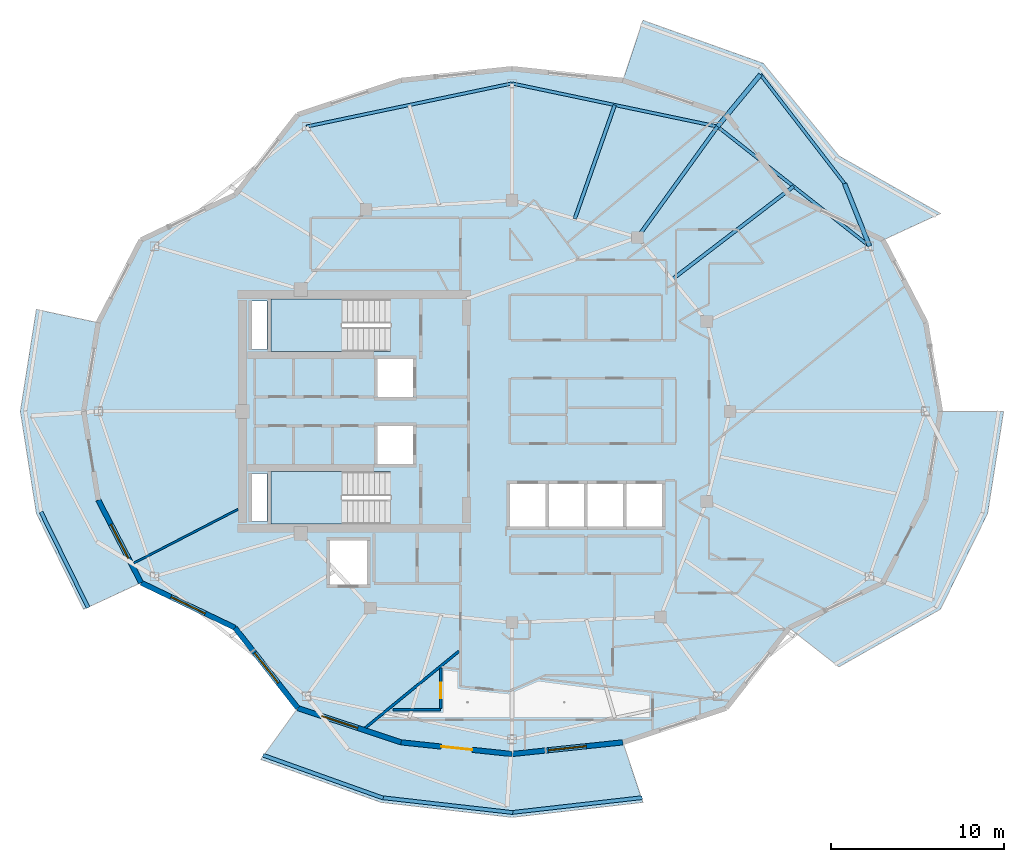
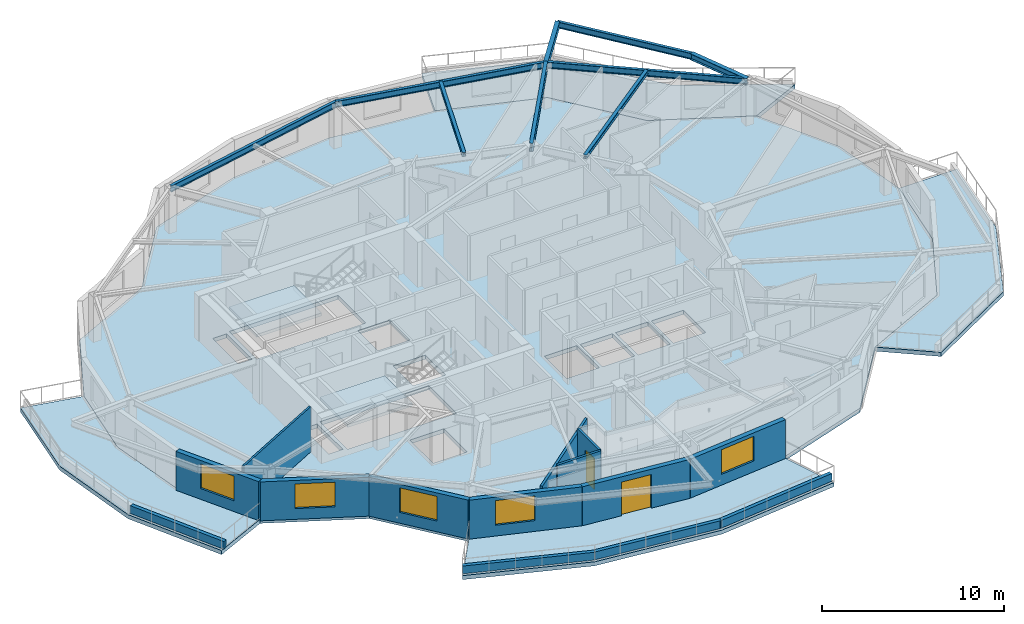
# One storey, part 2 of 14: 14 walls, 9 beams, 7 slabs, 5 windows, 2 doors, 7 openings, 2 elements without a shape of their own.
"""IFC4 building model written with IfcOpenShell, lengths in metres."""

from ifc_helpers import new_model, si_unit, direction, frame, frame_2d, origin, origin_2d, place, context, subcontext, project, spatial, polyline, rectangle, i_section, outline, extrude, material, layer, layer_set, material_profile, profile_set, type_object, element, fill, aggregate, save


model = new_model("IFC4")

# Units and contexts
model_context = context("Model", 3, precision=1e-05, world=origin(), true_north=direction((0.0, 1.0)))
body_context = subcontext(model_context, "Body", "Model", "MODEL_VIEW")
ifc_project = project(units=[si_unit("LENGTHUNIT", "METRE"), si_unit("AREAUNIT", "SQUARE_METRE"), si_unit("VOLUMEUNIT", "CUBIC_METRE"), si_unit("PLANEANGLEUNIT", "RADIAN"), si_unit("MASSUNIT", "GRAM", prefix="KILO")], contexts=[model_context])

# Site, building, storey
site_placement = place(None, origin())
site = spatial("IfcSite", under=ifc_project, at=site_placement, CompositionType="ELEMENT")
building_placement = place(site_placement, origin())
building = spatial("IfcBuilding", under=site, at=building_placement, Name="Kolvaren Gate Tower and Convention Centre", CompositionType="ELEMENT")
storey_placement = place(building_placement, frame((0.0, 0.0, 216.199951171875)))
storey = spatial("IfcBuildingStorey", under=building, at=storey_placement, Name="L57", CompositionType="ELEMENT", Elevation=216.199951171875)

# Beams
ifc_material_1 = material(Name="Structural steel ASTM A992 Grade 345 MPa", Category="steel")
ifc_material_profile_1 = material_profile(ifc_material_1, i_section(OverallWidth=0.260009765625, OverallDepth=0.419921875, WebThickness=0.013427734375, FlangeThickness=0.0224609375, at=origin_2d()), Name="W410X132")
ifc_profile_set_1 = profile_set([ifc_material_profile_1], Name="Structural steel ASTM A992 Grade 345 MPa")
beam_type_1 = type_object("IfcBeamType", Name="STR-BM-W410X132", PredefinedType="BEAM", material=ifc_profile_set_1)
for number, where, z_axis, x_axis, name in (
    (1, (50.787353515625, 36.543701171875, 2.820556640625), (-0.370926499602, 0.92866222702, 0.0), (-0.92866222702, -0.370926499602, 0.0), "Tower L58 Planted Balcony Outrigger Cantilever BC-1A"),
    (2, (42.002685546875, 43.4580078125, 2.820556640625), (0.636086782115, 0.771617525474, 0.0), (-0.771617525474, 0.636086782115, 0.0), "Tower L58 Planted Balcony Outrigger Cantilever BC-1B"),
):
    element("IfcBeam", number, at=place(storey_placement, frame(where, z_axis=z_axis, x_axis=x_axis)), inside=storey, type_object=beam_type_1, Name=name, PredefinedType="BEAM", context=body_context, shape_type="SweptSolid", body=[
        extrude(i_section(OverallWidth=0.260009765625, OverallDepth=0.419921875, WebThickness=0.013427734375, FlangeThickness=0.0224609375, at=origin_2d()), origin(), (0.0, 0.0, 1.0), 3.89990234375),
    ])
ifc_material_profile_2 = material_profile(ifc_material_1, i_section(OverallWidth=0.2119140625, OverallDepth=0.5439453125, WebThickness=0.01318359375, FlangeThickness=0.021240234375, at=origin_2d()), Name="W530X123")
ifc_profile_set_2 = profile_set([ifc_material_profile_2], Name="Structural steel ASTM A992 Grade 345 MPa")
beam_type_2 = type_object("IfcBeamType", Name="STR-BM-W530X123", PredefinedType="BEAM", material=ifc_profile_set_2)
beam_1_placement = place(storey_placement, frame((37.381591796875, 37.054931640625, 2.758056640625), z_axis=(0.585211694794, 0.810880553643, 0.0), x_axis=(-0.810880553643, 0.585211694794, 0.0)))
element("IfcBeam", 3, at=beam_1_placement, inside=storey, type_object=beam_type_2, Name="Tower L57 Radial Floor Girder RB-03", PredefinedType="BEAM", context=body_context, shape_type="SweptSolid", body=[
    extrude(i_section(OverallWidth=0.2119140625, OverallDepth=0.5439453125, WebThickness=0.01318359375, FlangeThickness=0.021240234375, at=origin_2d()), origin(), (0.0, 0.0, 1.0), 7.896484375),
])
ifc_material_profile_3 = material_profile(ifc_material_1, i_section(OverallWidth=0.202880859375, OverallDepth=0.251953125, WebThickness=0.008056640625, FlangeThickness=0.013427734375, at=origin_2d()), Name="W250X58")
ifc_profile_set_3 = profile_set([ifc_material_profile_3], Name="Structural steel ASTM A992 Grade 345 MPa")
beam_type_3 = type_object("IfcBeamType", Name="STR-JS-W250X58", PredefinedType="JOIST", material=ifc_profile_set_3)
beam_2_placement = place(storey_placement, frame((39.3818359375, 34.627197265625, 2.904052734375), z_axis=(0.793783340844, 0.608200631205, 0.0), x_axis=(-0.608200631205, 0.793783340844, 0.0)))
element("IfcBeam", 4, at=beam_2_placement, inside=storey, type_object=beam_type_3, Name="Tower L57 Secondary Composite Floor Joist J-02.1", PredefinedType="JOIST", context=body_context, shape_type="SweptSolid", body=[
    extrude(i_section(OverallWidth=0.202880859375, OverallDepth=0.251953125, WebThickness=0.008056640625, FlangeThickness=0.013427734375, at=origin_2d()), origin(), (0.0, 0.0, 1.0), 8.835205078125),
])
beam_3_placement = place(storey_placement, frame((33.75341796875, 38.12744140625, 2.904052734375), z_axis=(0.331432911821, 0.943478788824, 0.0), x_axis=(-0.943478788824, 0.331432911821, 0.0)))
element("IfcBeam", 5, at=beam_3_placement, inside=storey, type_object=beam_type_3, Name="Tower L57 Secondary Composite Floor Joist J-03.1", PredefinedType="JOIST", context=body_context, shape_type="SweptSolid", body=[
    extrude(i_section(OverallWidth=0.202880859375, OverallDepth=0.251953125, WebThickness=0.008056640625, FlangeThickness=0.013427734375, at=origin_2d()), origin(), (0.0, 0.0, 1.0), 6.970703125),
])
ifc_material_profile_4 = material_profile(ifc_material_1, i_section(OverallWidth=0.180908203125, OverallDepth=0.4169921875, WebThickness=0.010986328125, FlangeThickness=0.018310546875, at=origin_2d()), Name="W410X85")
ifc_profile_set_4 = profile_set([ifc_material_profile_4], Name="Structural steel ASTM A992 Grade 345 MPa")
beam_type_4 = type_object("IfcBeamType", Name="STR-SP-W410X85", PredefinedType="SPANDREL", material=ifc_profile_set_4)
beam_4_placement = place(storey_placement, frame((50.787353515625, 36.543701171875, 2.821533203125), z_axis=(-0.78579365551, 0.618488747643, 0.0), x_axis=(-0.618488747643, -0.78579365551, 0.0)))
element("IfcBeam", 6, at=beam_4_placement, inside=storey, type_object=beam_type_4, Name="Tower L57 Perimeter Spandrel Beam SP-02", PredefinedType="SPANDREL", context=body_context, shape_type="SweptSolid", body=[
    extrude(i_section(OverallWidth=0.180908203125, OverallDepth=0.4169921875, WebThickness=0.010986328125, FlangeThickness=0.018310546875, at=origin_2d()), origin(), (0.0, 0.0, 1.0), 11.179443359375),
])
for number, where, z_axis, x_axis, name in (
    (7, (42.002685546875, 43.4580078125, 2.821533203125), (-0.978692765917, 0.205330148645, 0.0), (-0.205330148645, -0.978692765917, 0.0), "Tower L57 Perimeter Spandrel Beam SP-03"),
    (8, (30.125, 45.949951171875, 2.821533203125), (-0.978692765917, -0.205330148645, 0.0), (0.205330148645, -0.978692765917, 0.0), "Tower L57 Perimeter Spandrel Beam SP-04"),
):
    element("IfcBeam", number, at=place(storey_placement, frame(where, z_axis=z_axis, x_axis=x_axis)), inside=storey, type_object=beam_type_4, Name=name, PredefinedType="SPANDREL", context=body_context, shape_type="SweptSolid", body=[
        extrude(i_section(OverallWidth=0.180908203125, OverallDepth=0.4169921875, WebThickness=0.010986328125, FlangeThickness=0.018310546875, at=origin_2d()), origin(), (0.0, 0.0, 1.0), 12.13623046875),
    ])
beam_5_placement = place(storey_placement, frame((49.3408203125, 40.165283203125, 2.822021484375), z_axis=(-0.61047858823, 0.792032760252, 0.0), x_axis=(-0.792032760252, -0.61047858823, 0.0)))
element("IfcBeam", 9, at=beam_5_placement, inside=storey, type_object=beam_type_4, Name="Tower L58 Planted Balcony Header Tie Beam BT-1", PredefinedType="SPANDREL", context=body_context, shape_type="SweptSolid", body=[
    extrude(i_section(OverallWidth=0.180908203125, OverallDepth=0.4169921875, WebThickness=0.010986328125, FlangeThickness=0.018310546875, at=origin_2d()), origin(), (0.0, 0.0, 1.0), 7.956787109375),
])

# Slabs
ifc_material_2 = material(Name="Concrete C50/60", Category="concrete")
ifc_layer_1 = layer(ifc_material_2, 0.27001953125)
ifc_layer_set_1 = layer_set([ifc_layer_1], Name="Concrete C50/60")
slab_type_1 = type_object("IfcSlabType", Name="STR-SL-BALC-270", PredefinedType="FLOOR", material=ifc_layer_set_1)
slab_1_placement = place(storey_placement, frame((0.0, 0.0, -0.27001953125)))
element("IfcSlab", 10, at=slab_1_placement, inside=storey, type_object=slab_type_1, Name="Tower L57 Planted Balcony Terrace Slab 1 (North)", PredefinedType="FLOOR", context=body_context, shape_type="SweptSolid", body=[
    extrude(outline(polyline([(51.55908203125, 36.89990234375), (46.132568359375, 39.50732421875), (42.5, 44.147216796875), (36.53076171875, 46.125244140625), (37.693115234375, 49.595703125), (44.641845703125, 47.114990234375), (49.0166015625, 41.7607421875), (54.8818359375, 38.434814453125), (51.55908203125, 36.89990234375)])), origin(), (0.0, 0.0, 1.0), 0.27001953125),
])
slab_2_placement = place(storey_placement, frame((0.0, 0.0, -0.27001953125)))
element("IfcSlab", 11, at=slab_2_placement, inside=storey, type_object=slab_type_1, Name="Tower L57 Planted Balcony Terrace Slab 2 (West)", PredefinedType="FLOOR", context=body_context, shape_type="SweptSolid", body=[
    extrude(outline(polyline([(6.21826171875, 32.12451171875), (5.375, 27.0), (6.21826171875, 21.87548828125), (8.69091796875, 17.10009765625), (5.3681640625, 15.565185546875), (2.6396484375, 21.1083984375), (1.715087890625, 27.0), (2.6396484375, 32.8916015625), (6.21826171875, 32.12451171875)])), origin(), (0.0, 0.0, 1.0), 0.27001953125),
])
slab_3_placement = place(storey_placement, frame((0.0, 0.0, -0.27001953125)))
element("IfcSlab", 12, at=slab_3_placement, inside=storey, type_object=slab_type_1, Name="Tower L57 Planted Balcony Terrace Slab 3 (South)", PredefinedType="FLOOR", context=body_context, shape_type="SweptSolid", body=[
    extrude(outline(polyline([(17.75, 9.852783203125), (23.71923828125, 7.874755859375), (30.125, 7.199951171875), (36.53076171875, 7.874755859375), (37.693115234375, 4.404296875), (30.125, 3.5400390625), (22.556884765625, 4.404296875), (15.608154296875, 6.885009765625), (17.75, 9.852783203125)])), origin(), (0.0, 0.0, 1.0), 0.27001953125),
])
slab_4_placement = place(storey_placement, frame((0.0, 0.0, -0.27001953125)))
element("IfcSlab", 13, at=slab_4_placement, inside=storey, type_object=slab_type_1, Name="Tower L57 Planted Balcony Terrace Slab 4 (East)", PredefinedType="FLOOR", context=body_context, shape_type="SweptSolid", body=[
    extrude(outline(polyline([(46.132568359375, 14.49267578125), (51.55908203125, 17.10009765625), (54.03173828125, 21.87548828125), (54.875, 27.0), (58.534912109375, 27.0), (57.6103515625, 21.1083984375), (54.8818359375, 15.565185546875), (49.0166015625, 12.2392578125), (46.132568359375, 14.49267578125)])), origin(), (0.0, 0.0, 1.0), 0.27001953125),
])
ifc_material_3 = material(Name="Concrete C40/50", Category="concrete")
ifc_layer_2 = layer(ifc_material_3, 0.27001953125)
ifc_layer_set_2 = layer_set([ifc_layer_2], Name="Concrete C40/50")
slab_type_2 = type_object("IfcSlabType", Name="STR-SL-FLR-270", PredefinedType="FLOOR", material=ifc_layer_set_2)
slab_5_placement = place(storey_placement, frame((0.0, 0.0, -0.27001953125)))
element("IfcSlab", 14, at=slab_5_placement, inside=storey, type_object=slab_type_2, Name="Tower L57 Structural Floor Slab", PredefinedType="FLOOR", context=body_context, shape_type="SweptSolid", body=[
    extrude(outline(polyline([(54.875, 27.0), (54.03173828125, 32.12451171875), (51.55908203125, 36.89990234375), (46.132568359375, 39.50732421875), (42.5, 44.147216796875), (36.53076171875, 46.125244140625), (30.125, 46.800048828125), (23.71923828125, 46.125244140625), (17.75, 44.147216796875), (14.117431640625, 39.50732421875), (8.69091796875, 36.89990234375), (6.21826171875, 32.12451171875), (5.375, 27.0), (6.21826171875, 21.87548828125), (8.69091796875, 17.10009765625), (14.117431640625, 14.49267578125), (17.75, 9.852783203125), (23.71923828125, 7.874755859375), (30.125, 7.199951171875), (36.53076171875, 7.874755859375), (42.5, 9.852783203125), (46.132568359375, 14.49267578125), (51.55908203125, 17.10009765625), (54.03173828125, 21.87548828125), (54.875, 27.0)]), holes=[polyline([(36.75, 20.35009765625), (36.75, 22.800048828125), (38.800048828125, 22.800048828125), (38.800048828125, 20.35009765625), (36.75, 20.35009765625)]), polyline([(36.550048828125, 20.35009765625), (34.5, 20.35009765625), (34.5, 22.800048828125), (36.550048828125, 22.800048828125), (36.550048828125, 20.35009765625)]), polyline([(32.25, 20.35009765625), (32.25, 22.800048828125), (34.300048828125, 22.800048828125), (34.300048828125, 20.35009765625), (32.25, 20.35009765625)]), polyline([(30.0, 20.35009765625), (30.0, 22.800048828125), (32.050048828125, 22.800048828125), (32.050048828125, 20.35009765625), (30.0, 20.35009765625)]), polyline([(22.35009765625, 23.9599609375), (22.35009765625, 26.159912109375), (24.39990234375, 26.159912109375), (24.39990234375, 23.9599609375), (22.35009765625, 23.9599609375)]), polyline([(22.35009765625, 27.840087890625), (22.35009765625, 30.0400390625), (24.39990234375, 30.0400390625), (24.39990234375, 27.840087890625), (22.35009765625, 27.840087890625)]), polyline([(16.199951171875, 23.5400390625), (23.10009765625, 23.5400390625), (23.10009765625, 20.5), (16.199951171875, 20.5), (16.199951171875, 23.5400390625)]), polyline([(16.199951171875, 33.5), (23.10009765625, 33.5), (23.10009765625, 30.4599609375), (16.199951171875, 30.4599609375), (16.199951171875, 33.5)]), polyline([(21.75, 17.0), (19.60009765625, 17.0), (19.60009765625, 19.550048828125), (21.75, 19.550048828125), (21.75, 17.0)]), polyline([(15.080078125, 30.580078125), (15.080078125, 33.3701171875), (15.969970703125, 33.3701171875), (15.969970703125, 30.580078125), (15.080078125, 30.580078125)]), polyline([(15.969970703125, 20.6298828125), (15.080078125, 20.6298828125), (15.080078125, 23.419921875), (15.969970703125, 23.419921875), (15.969970703125, 20.6298828125)])]), origin(), (0.0, 0.0, 1.0), 0.27001953125),
])

# Stair, slab
stair_type = type_object("IfcStairType", Name="STR-STAIR-CORE", PredefinedType="HALF_TURN_STAIR", material=ifc_material_2)
stair_1_placement = place(storey_placement, origin())
stair_1 = element("IfcStair", 15, at=stair_1_placement, inside=storey, type_object=stair_type, Name="L57 Tower North Exit Stair ST-T1", PredefinedType="HALF_TURN_STAIR")
ifc_layer_3 = layer(ifc_material_2, 0.199951171875)
ifc_layer_set_3 = layer_set([ifc_layer_3], Name="Concrete C50/60")
slab_type_3 = type_object("IfcSlabType", Name="STR-SL-LAND-200", PredefinedType="LANDING", material=ifc_layer_set_3)
slab_6_placement = place(storey_placement, frame((0.0, 0.0, 1.449951171875)))
slab_6 = element("IfcSlab", 16, at=slab_6_placement, type_object=slab_type_3, Name="ST-T1 landing 1", PredefinedType="LANDING", context=body_context, shape_type="SweptSolid", body=[
    extrude(outline(polyline([(20.31005859375, 33.5), (16.199951171875, 33.5), (16.199951171875, 30.4599609375), (20.31005859375, 30.4599609375), (20.31005859375, 33.5)])), origin(), (0.0, 0.0, 1.0), 0.2001953125),
])
aggregate(stair_1, [slab_6])

stair_2_placement = place(storey_placement, origin())
stair_2 = element("IfcStair", 17, at=stair_2_placement, inside=storey, type_object=stair_type, Name="L57 Tower South Exit Stair ST-T2", PredefinedType="HALF_TURN_STAIR")
slab_7_placement = place(storey_placement, frame((0.0, 0.0, 1.449951171875)))
slab_7 = element("IfcSlab", 18, at=slab_7_placement, type_object=slab_type_3, Name="ST-T2 landing 1", PredefinedType="LANDING", context=body_context, shape_type="SweptSolid", body=[
    extrude(outline(polyline([(20.31005859375, 23.5400390625), (16.199951171875, 23.5400390625), (16.199951171875, 20.5), (20.31005859375, 20.5), (20.31005859375, 23.5400390625)])), origin(), (0.0, 0.0, 1.0), 0.2001953125),
])
aggregate(stair_2, [slab_7])

# Walls
ifc_material_4 = material(Name="Fire-Rated Acoustic Gypsum Stud Partition", Category="gypsum")
ifc_layer_4 = layer(ifc_material_4, 0.1201171875)
ifc_layer_set_4 = layer_set([ifc_layer_4], Name="Fire-Rated Acoustic Gypsum Stud Partition")
wall_type_1 = type_object("IfcWallType", Name="ARCH-WL-PART-120", PredefinedType="PARTITIONING", material=ifc_layer_set_4)
wall_1_placement = place(storey_placement, frame((8.2744140625, 18.235107421875, 0.0), z_axis=(0.0, 0.0, 1.0), x_axis=(0.888553888563, 0.458772260625, 0.0)))
element("IfcWall", 19, at=wall_1_placement, inside=storey, type_object=wall_type_1, Name="Interior Partition WL-L57-INT-075", PredefinedType="PARTITIONING", context=body_context, shape_type="SweptSolid", body=[
    extrude(rectangle(XDim=6.779296875, YDim=0.1201171875, at=frame_2d((3.3896484375, 0.0))), origin(), (0.0, 0.0, 1.0), 3.030029296875),
])
ifc_material_5 = material(Name="Piedmont Cream Honed Limestone Cladding", Category="masonry")
ifc_layer_5 = layer(ifc_material_5, 0.219970703125)
ifc_layer_set_5 = layer_set([ifc_layer_5], Name="Piedmont Cream Honed Limestone Cladding")
wall_type_2 = type_object("IfcWallType", Name="ARCH-WL-PLANTER-220", PredefinedType="PARAPET", material=ifc_layer_set_5)
wall_2_placement = place(storey_placement, frame((2.905517578125, 21.1962890625, 0.0), z_axis=(0.0, 0.0, 1.0), x_axis=(0.441640961804, -0.897191875162, 0.0)))
element("IfcWall", 20, at=wall_2_placement, inside=storey, type_object=wall_type_2, Name="Vertical-Forest Balcony Stone Planter Kerb PK-L57-2.3", PredefinedType="PARAPET", context=body_context, shape_type="SweptSolid", body=[
    extrude(rectangle(XDim=6.17822265625, YDim=0.219970703125, at=frame_2d((3.089111328125, 0.0))), origin(), (0.0, 0.0, 1.0), 0.52001953125),
])
wall_3_placement = place(storey_placement, frame((15.73681640625, 7.133544921875, 0.0), z_axis=(0.0, 0.0, 1.0), x_axis=(0.941780086523, -0.336229488042, 0.0)))
element("IfcWall", 21, at=wall_3_placement, inside=storey, type_object=wall_type_2, Name="Vertical-Forest Balcony Stone Planter Kerb PK-L57-3.1", PredefinedType="PARAPET", context=body_context, shape_type="SweptSolid", body=[
    extrude(rectangle(XDim=7.3779296875, YDim=0.219970703125, at=frame_2d((3.68896484375, 0.0))), origin(), (0.0, 0.0, 1.0), 0.52001953125),
])
for number, where, z_axis, x_axis, name in (
    (22, (22.602294921875, 4.680419921875, 0.0), (0.0, 0.0, 1.0), (0.993546198781, -0.113428175021, 0.0), "Vertical-Forest Balcony Stone Planter Kerb PK-L57-3.2"),
    (23, (30.07958984375, 3.81640625, 0.0), (0.0, 0.0, 1.0), (0.993546198781, 0.113428175021, 0.0), "Vertical-Forest Balcony Stone Planter Kerb PK-L57-3.3"),
):
    element("IfcWall", number, at=place(storey_placement, frame(where, z_axis=z_axis, x_axis=x_axis)), inside=storey, type_object=wall_type_2, Name=name, PredefinedType="PARAPET", context=body_context, shape_type="SweptSolid", body=[
        extrude(rectangle(XDim=7.6171875, YDim=0.219970703125, at=frame_2d((3.80859375, 0.0))), origin(), (0.0, 0.0, 1.0), 0.52001953125),
    ])

# Wall, opening, window
ifc_layer_6 = layer(ifc_material_5, 0.300048828125)
ifc_layer_set_6 = layer_set([ifc_layer_6], Name="Piedmont Cream Honed Limestone Cladding")
wall_type_3 = type_object("IfcWallType", Name="ARCH-WL-STONE-300", PredefinedType="SOLIDWALL", material=ifc_layer_set_6)
wall_4_placement = place(storey_placement, frame((6.21826171875, 21.87548828125, 0.0), z_axis=(0.0, 0.0, 1.0), x_axis=(0.459808219482, -0.888018243786, 0.0)))
wall_4 = element("IfcWall", 24, at=wall_4_placement, inside=storey, type_object=wall_type_3, Name="Tower L57 Honed Stone Spandrel Wall EW-13", PredefinedType="SOLIDWALL", context=body_context, shape_type="SweptSolid", body=[
    extrude(rectangle(XDim=5.377685546875, YDim=0.300048828125, at=frame_2d((2.68896484375, 0.0))), origin(), (0.0, 0.0, 1.0), 2.60498046875),
])
opening_1_placement = place(wall_4_placement, frame((1.589111328125, 0.0, 0.719970703125)))
opening_1 = element("IfcOpeningElement", 25, at=opening_1_placement, cuts=wall_4, Name="Opening W-03", PredefinedType="OPENING", context=body_context, shape_type="SweptSolid", body=[
    extrude(rectangle(XDim=2.199951171875, YDim=1.64990234375, at=frame_2d((1.10009765625, 0.824951171875))), frame((0.0, 0.159912109375, 0.0), z_axis=(0.0, -1.0, 0.0), x_axis=(1.0, 0.0, 0.0)), (0.0, 0.0, 1.0), 0.320068359375),
])
ifc_material_6 = material(Name="Low-E Triple Insulated Glazing Unit 44 mm", Category="glass")
window_type = type_object("IfcWindowType", Name="ARCH-WN-RES-2200", PartitioningType="SINGLE_PANEL", PredefinedType="WINDOW", material=ifc_material_6)
window_1_placement = place(opening_1_placement, origin())
window_1 = element("IfcWindow", 26, at=window_1_placement, inside=storey, type_object=window_type, Name="Tower L57 Punched Stone Facade Window W-13", OverallHeight=1.64990234375, OverallWidth=2.199951171875, PartitioningType="SINGLE_PANEL", PredefinedType="WINDOW", context=body_context, shape_type="SweptSolid", body=[
    extrude(rectangle(XDim=2.199951171875, YDim=1.64990234375, at=frame_2d((1.10009765625, 0.824951171875))), frame((0.0, 0.030029296875, 0.0), z_axis=(0.0, -1.0, 0.0), x_axis=(1.0, 0.0, 0.0)), (0.0, 0.0, 1.0), 0.06005859375),
])
fill(opening_1, window_1)

wall_5_placement = place(storey_placement, frame((8.69091796875, 17.10009765625, 0.0), z_axis=(0.0, 0.0, 1.0), x_axis=(0.901348331142, -0.433094892545, 0.0)))
wall_5 = element("IfcWall", 27, at=wall_5_placement, inside=storey, type_object=wall_type_3, Name="Tower L57 Honed Stone Spandrel Wall EW-14", PredefinedType="SOLIDWALL", context=body_context, shape_type="SweptSolid", body=[
    extrude(rectangle(XDim=6.0205078125, YDim=0.300048828125, at=frame_2d((3.01025390625, 0.0))), origin(), (0.0, 0.0, 1.0), 2.60498046875),
])
opening_2_placement = place(wall_5_placement, frame((1.909912109375, 0.0, 0.719970703125)))
opening_2 = element("IfcOpeningElement", 28, at=opening_2_placement, cuts=wall_5, Name="Opening W-03", PredefinedType="OPENING", context=body_context, shape_type="SweptSolid", body=[
    extrude(rectangle(XDim=2.199951171875, YDim=1.64990234375, at=frame_2d((1.10009765625, 0.824951171875))), frame((0.0, 0.159912109375, 0.0), z_axis=(0.0, -1.0, 0.0), x_axis=(1.0, 0.0, 0.0)), (0.0, 0.0, 1.0), 0.320068359375),
])
window_2_placement = place(opening_2_placement, origin())
window_2 = element("IfcWindow", 29, at=window_2_placement, inside=storey, type_object=window_type, Name="Tower L57 Punched Stone Facade Window W-14", OverallHeight=1.64990234375, OverallWidth=2.199951171875, PartitioningType="SINGLE_PANEL", PredefinedType="WINDOW", context=body_context, shape_type="SweptSolid", body=[
    extrude(rectangle(XDim=2.199951171875, YDim=1.64990234375, at=frame_2d((1.10009765625, 0.824951171875))), frame((0.0, 0.030029296875, 0.0), z_axis=(0.0, -1.0, 0.0), x_axis=(1.0, 0.0, 0.0)), (0.0, 0.0, 1.0), 0.06005859375),
])
fill(opening_2, window_2)

wall_6_placement = place(storey_placement, frame((14.117431640625, 14.49267578125, 0.0), z_axis=(0.0, 0.0, 1.0), x_axis=(0.616450126935, -0.787393955401, 0.0)))
wall_6 = element("IfcWall", 30, at=wall_6_placement, inside=storey, type_object=wall_type_3, Name="Tower L57 Honed Stone Spandrel Wall EW-15", PredefinedType="SOLIDWALL", context=body_context, shape_type="SweptSolid", body=[
    extrude(rectangle(XDim=5.892822265625, YDim=0.300048828125, at=frame_2d((2.9462890625, 0.0))), origin(), (0.0, 0.0, 1.0), 2.60498046875),
])
opening_3_placement = place(wall_6_placement, frame((1.845947265625, 0.0, 0.719970703125)))
opening_3 = element("IfcOpeningElement", 31, at=opening_3_placement, cuts=wall_6, Name="Opening W-03", PredefinedType="OPENING", context=body_context, shape_type="SweptSolid", body=[
    extrude(rectangle(XDim=2.199951171875, YDim=1.64990234375, at=frame_2d((1.10009765625, 0.824951171875))), frame((0.0, 0.159912109375, 0.0), z_axis=(0.0, -1.0, 0.0), x_axis=(1.0, 0.0, 0.0)), (0.0, 0.0, 1.0), 0.320068359375),
])
window_3_placement = place(opening_3_placement, origin())
window_3 = element("IfcWindow", 32, at=window_3_placement, inside=storey, type_object=window_type, Name="Tower L57 Punched Stone Facade Window W-15", OverallHeight=1.64990234375, OverallWidth=2.199951171875, PartitioningType="SINGLE_PANEL", PredefinedType="WINDOW", context=body_context, shape_type="SweptSolid", body=[
    extrude(rectangle(XDim=2.199951171875, YDim=1.64990234375, at=frame_2d((1.10009765625, 0.824951171875))), frame((0.0, 0.030029296875, 0.0), z_axis=(0.0, -1.0, 0.0), x_axis=(1.0, 0.0, 0.0)), (0.0, 0.0, 1.0), 0.06005859375),
])
fill(opening_3, window_3)

wall_7_placement = place(storey_placement, frame((17.75, 9.852783203125, 0.0), z_axis=(0.0, 0.0, 1.0), x_axis=(0.949240877604, -0.314550085495, 0.0)))
wall_7 = element("IfcWall", 33, at=wall_7_placement, inside=storey, type_object=wall_type_3, Name="Tower L57 Honed Stone Spandrel Wall EW-16", PredefinedType="SOLIDWALL", context=body_context, shape_type="SweptSolid", body=[
    extrude(rectangle(XDim=6.288330078125, YDim=0.300048828125, at=frame_2d((3.14404296875, 0.0))), origin(), (0.0, 0.0, 1.0), 2.60498046875),
])
opening_4_placement = place(wall_7_placement, frame((1.449951171875, 0.0, 0.719970703125)))
opening_4 = element("IfcOpeningElement", 34, at=opening_4_placement, cuts=wall_7, Name="Opening W-03", PredefinedType="OPENING", context=body_context, shape_type="SweptSolid", body=[
    extrude(rectangle(XDim=2.199951171875, YDim=1.64990234375, at=frame_2d((1.10009765625, 0.824951171875))), frame((0.0, 0.159912109375, 0.0), z_axis=(0.0, -1.0, 0.0), x_axis=(1.0, 0.0, 0.0)), (0.0, 0.0, 1.0), 0.320068359375),
])
window_4_placement = place(opening_4_placement, origin())
window_4 = element("IfcWindow", 35, at=window_4_placement, inside=storey, type_object=window_type, Name="Tower L57 Punched Stone Facade Window W-16", OverallHeight=1.64990234375, OverallWidth=2.199951171875, PartitioningType="SINGLE_PANEL", PredefinedType="WINDOW", context=body_context, shape_type="SweptSolid", body=[
    extrude(rectangle(XDim=2.199951171875, YDim=1.64990234375, at=frame_2d((1.10009765625, 0.824951171875))), frame((0.0, 0.030029296875, 0.0), z_axis=(0.0, -1.0, 0.0), x_axis=(1.0, 0.0, 0.0)), (0.0, 0.0, 1.0), 0.06005859375),
])
fill(opening_4, window_4)

# Wall, opening, door
wall_8_placement = place(storey_placement, frame((23.71923828125, 7.874755859375, 0.0), z_axis=(0.0, 0.0, 1.0), x_axis=(0.994497142298, -0.104763705363, 0.0)))
wall_8 = element("IfcWall", 36, at=wall_8_placement, inside=storey, type_object=wall_type_3, Name="Tower L57 Honed Stone Spandrel Wall EW-17", PredefinedType="SOLIDWALL", context=body_context, shape_type="SweptSolid", body=[
    extrude(rectangle(XDim=6.441162109375, YDim=0.300048828125, at=frame_2d((3.220703125, 0.0))), origin(), (0.0, 0.0, 1.0), 2.60498046875),
])
opening_5_placement = place(wall_8_placement, frame((2.321044921875, 0.0, 0.0)))
opening_5 = element("IfcOpeningElement", 37, at=opening_5_placement, cuts=wall_8, Name="Opening DB-01", PredefinedType="OPENING", context=body_context, shape_type="SweptSolid", body=[
    extrude(rectangle(XDim=1.800048828125, YDim=2.25, at=frame_2d((0.89990234375, 1.125))), frame((0.0, 0.159912109375, 0.0), z_axis=(0.0, -1.0, 0.0), x_axis=(1.0, 0.0, 0.0)), (0.0, 0.0, 1.0), 0.320068359375),
])
ifc_material_7 = material(Name="Anodized Architectural Aluminium Alloy 6063-T6", Category="aluminium")
door_type_1 = type_object("IfcDoorType", Name="ARCH-DR-BALC-1800", OperationType="SLIDING_TO_LEFT", PredefinedType="DOOR", material=ifc_material_7)
door_1_placement = place(opening_5_placement, frame((1.800048828125, 0.0, 0.0), z_axis=(0.0, 0.0, 1.0), x_axis=(-1.0, 0.0, 0.0)))
door_1 = element("IfcDoor", 38, at=door_1_placement, inside=storey, type_object=door_type_1, Name="Planted Sky Terrace Access Door DB-L57-17", OperationType="SLIDING_TO_LEFT", OverallHeight=2.25, OverallWidth=1.800048828125, PredefinedType="DOOR", context=body_context, shape_type="SweptSolid", body=[
    extrude(rectangle(XDim=1.800048828125, YDim=2.25, at=frame_2d((0.89990234375, 1.125))), frame((0.0, 0.02490234375, 0.0), z_axis=(0.0, -1.0, 0.0), x_axis=(1.0, 0.0, 0.0)), (0.0, 0.0, 1.0), 0.050048828125),
])
fill(opening_5, door_1)

# Wall, opening, window
wall_9_placement = place(storey_placement, frame((30.125, 7.199951171875, 0.0), z_axis=(0.0, 0.0, 1.0), x_axis=(0.994497142298, 0.104763705363, 0.0)))
wall_9 = element("IfcWall", 39, at=wall_9_placement, inside=storey, type_object=wall_type_3, Name="Tower L57 Honed Stone Spandrel Wall EW-18", PredefinedType="SOLIDWALL", context=body_context, shape_type="SweptSolid", body=[
    extrude(rectangle(XDim=6.441162109375, YDim=0.300048828125, at=frame_2d((3.220703125, 0.0))), origin(), (0.0, 0.0, 1.0), 2.60498046875),
])
opening_6_placement = place(wall_9_placement, frame((2.12109375, 0.0, 0.719970703125)))
opening_6 = element("IfcOpeningElement", 40, at=opening_6_placement, cuts=wall_9, Name="Opening W-03", PredefinedType="OPENING", context=body_context, shape_type="SweptSolid", body=[
    extrude(rectangle(XDim=2.199951171875, YDim=1.64990234375, at=frame_2d((1.10009765625, 0.824951171875))), frame((0.0, 0.159912109375, 0.0), z_axis=(0.0, -1.0, 0.0), x_axis=(1.0, 0.0, 0.0)), (0.0, 0.0, 1.0), 0.320068359375),
])
window_5_placement = place(opening_6_placement, origin())
window_5 = element("IfcWindow", 41, at=window_5_placement, inside=storey, type_object=window_type, Name="Tower L57 Punched Stone Facade Window W-18", OverallHeight=1.64990234375, OverallWidth=2.199951171875, PartitioningType="SINGLE_PANEL", PredefinedType="WINDOW", context=body_context, shape_type="SweptSolid", body=[
    extrude(rectangle(XDim=2.199951171875, YDim=1.64990234375, at=frame_2d((1.10009765625, 0.824951171875))), frame((0.0, 0.030029296875, 0.0), z_axis=(0.0, -1.0, 0.0), x_axis=(1.0, 0.0, 0.0)), (0.0, 0.0, 1.0), 0.06005859375),
])
fill(opening_6, window_5)

# Walls
ifc_material_8 = material(Name="Moisture-Resistant Cement-Board Acoustic Partition", Category="gypsum")
ifc_layer_7 = layer(ifc_material_8, 0.14990234375)
ifc_layer_set_7 = layer_set([ifc_layer_7], Name="Moisture-Resistant Cement-Board Acoustic Partition")
wall_type_4 = type_object("IfcWallType", Name="ARCH-WL-WET-150", PredefinedType="PARTITIONING", material=ifc_layer_set_7)
wall_10_placement = place(storey_placement, frame((21.65771484375, 8.718017578125, 0.0), z_axis=(0.0, 0.0, 1.0), x_axis=(0.773737507715, 0.633506329215, 0.0)))
element("IfcWall", 42, at=wall_10_placement, inside=storey, type_object=wall_type_4, Name="Interior Partition WL-L57-INT-078", PredefinedType="PARTITIONING", context=body_context, shape_type="SweptSolid", body=[
    extrude(rectangle(XDim=6.979736328125, YDim=0.14990234375, at=frame_2d((3.48974609375, 0.0))), origin(), (0.0, 0.0, 1.0), 2.77001953125),
])
wall_11_placement = place(storey_placement, frame((23.25, 9.75, 0.0), z_axis=(0.0, 0.0, 1.0), x_axis=(1.0, 0.0, 0.0)))
element("IfcWall", 43, at=wall_11_placement, inside=storey, type_object=wall_type_4, Name="Interior Partition WL-L57-INT-080", PredefinedType="PARTITIONING", context=body_context, shape_type="SweptSolid", body=[
    extrude(rectangle(XDim=2.75, YDim=0.14990234375, at=frame_2d((1.375, 0.0))), origin(), (0.0, 0.0, 1.0), 3.030029296875),
])

# Wall, opening, door
wall_12_placement = place(storey_placement, frame((26.0, 9.826904296875, 0.0), z_axis=(0.0, 0.0, 1.0), x_axis=(0.0, 1.0, 0.0)))
wall_12 = element("IfcWall", 44, at=wall_12_placement, inside=storey, type_object=wall_type_4, Name="Interior Partition WL-L57-INT-081", PredefinedType="PARTITIONING", context=body_context, shape_type="SweptSolid", body=[
    extrude(rectangle(XDim=2.346923828125, YDim=0.14990234375, at=frame_2d((1.17333984375, 0.0))), origin(), (0.0, 0.0, 1.0), 3.030029296875),
])
opening_7_placement = place(wall_12_placement, frame((0.58349609375, 0.0, 0.0)))
opening_7 = element("IfcOpeningElement", 45, at=opening_7_placement, cuts=wall_12, Name="Opening DW-01", PredefinedType="OPENING", context=body_context, shape_type="SweptSolid", body=[
    extrude(rectangle(XDim=0.89990234375, YDim=2.10009765625, at=frame_2d((0.449951171875, 1.050048828125))), frame((0.0, 0.0849609375, 0.0), z_axis=(0.0, -1.0, 0.0), x_axis=(1.0, 0.0, 0.0)), (0.0, 0.0, 1.0), 0.169921875),
])
ifc_material_9 = material(Name="FSC Andean Oak Engineered Veneer Door Leaf", Category="wood")
door_type_2 = type_object("IfcDoorType", Name="ARCH-DR-WC-900", OperationType="SINGLE_SWING_RIGHT", PredefinedType="DOOR", material=ifc_material_9)
door_2_placement = place(opening_7_placement, origin())
door_2 = element("IfcDoor", 46, at=door_2_placement, inside=storey, type_object=door_type_2, Name="Apartment Bathroom (APT-L57-01) Door", OperationType="SINGLE_SWING_LEFT", OverallHeight=2.10009765625, OverallWidth=0.89990234375, PredefinedType="DOOR", context=body_context, shape_type="SweptSolid", body=[
    extrude(rectangle(XDim=0.89990234375, YDim=2.10009765625, at=frame_2d((0.449951171875, 1.050048828125))), frame((0.0, 0.02490234375, 0.0), z_axis=(0.0, -1.0, 0.0), x_axis=(1.0, 0.0, 0.0)), (0.0, 0.0, 1.0), 0.050048828125),
])
fill(opening_7, door_2)

save(model, "model.ifc")
